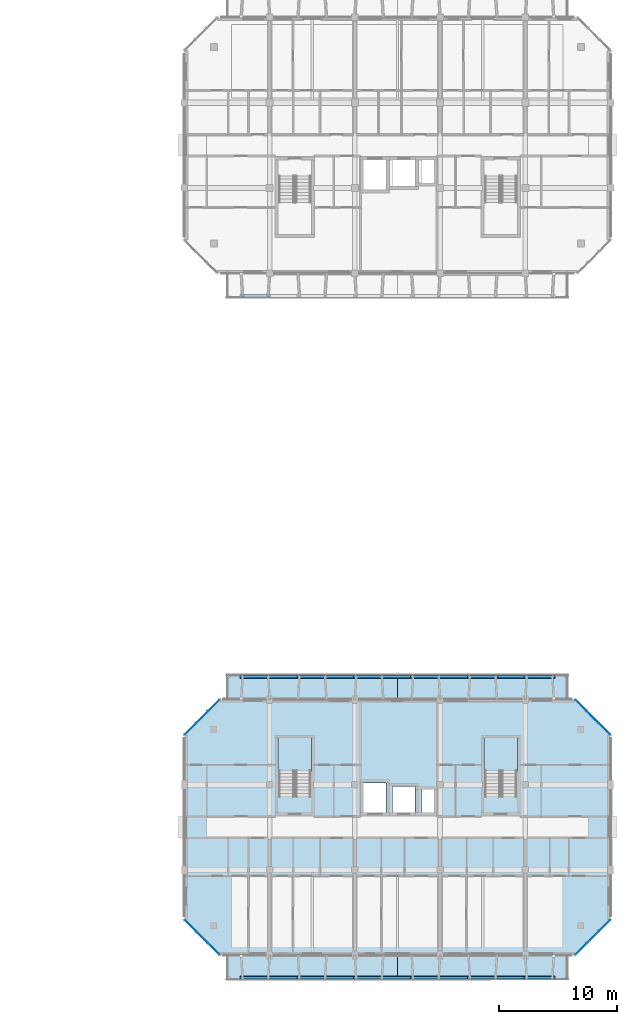
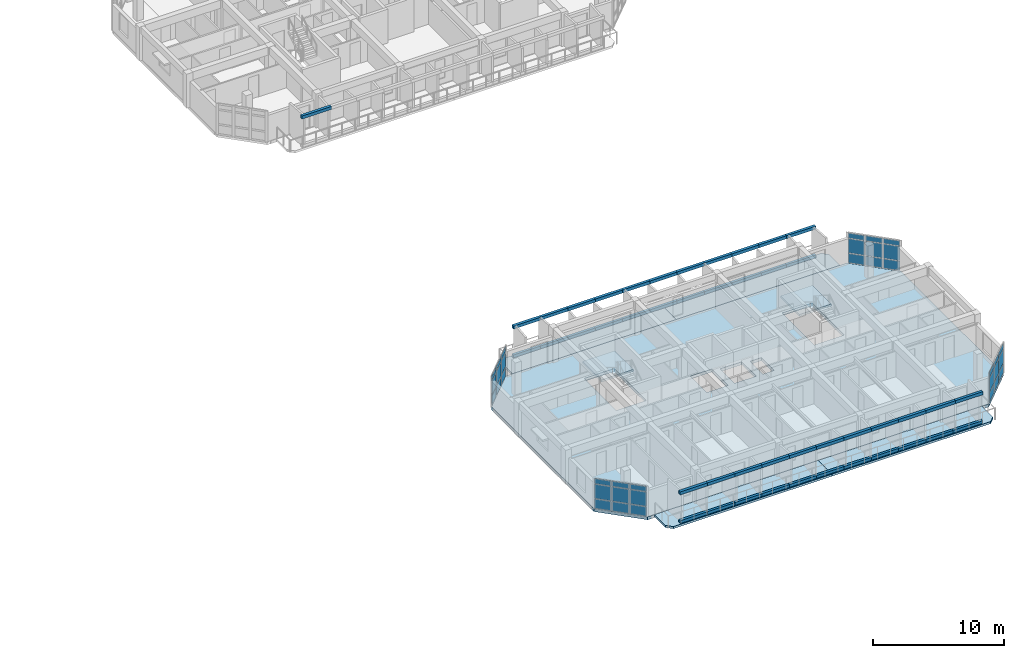
# One storey, part 12 of 43: 81 plates, 7 slabs, 6 elements without a shape of their own.
"""IFC4 building model written with IfcOpenShell, lengths in metres."""

from ifc_helpers import new_model, si_unit, direction, frame, origin, origin_2d, place, context, subcontext, project, spatial, polyline, rectangle, outline, extrude, material, layer, layer_set, type_object, element, aggregate, save


model = new_model("IFC4")

# Units and contexts
model_context = context("Model", 3, precision=1e-05, world=origin(), true_north=direction((0.0, 1.0)))
body_context = subcontext(model_context, "Body", "Model", "MODEL_VIEW")
ifc_project = project(units=[si_unit("LENGTHUNIT", "METRE"), si_unit("AREAUNIT", "SQUARE_METRE"), si_unit("VOLUMEUNIT", "CUBIC_METRE"), si_unit("PLANEANGLEUNIT", "RADIAN"), si_unit("MASSUNIT", "GRAM", prefix="KILO")], contexts=[model_context])

# Site, building, storey
site_placement = place(None, origin())
site = spatial("IfcSite", under=ifc_project, at=site_placement, CompositionType="ELEMENT")
building_placement = place(site_placement, origin())
building = spatial("IfcBuilding", under=site, at=building_placement, Name="Ochrevale Crest", CompositionType="ELEMENT")
storey_placement = place(building_placement, frame((0.0, 0.0, 15.0)))
storey = spatial("IfcBuildingStorey", under=building, at=storey_placement, Name="L04", CompositionType="ELEMENT", Elevation=15.0)

# Curtain wall, plates
ifc_material_1 = material(Name="Anodised aluminium 6063-T5", Category="aluminium")
ifc_layer_1 = layer(ifc_material_1, 0.14990234375)
ifc_layer_set_1 = layer_set([ifc_layer_1], Name="Anodised aluminium 6063-T5")
curtain_wall_type_1 = type_object("IfcCurtainWallType", Name="CW-WG-240x285", PredefinedType="NOTDEFINED", material=ifc_layer_set_1)
curtain_wall_1_placement = place(storey_placement, origin())
curtain_wall_1 = element("IfcCurtainWall", 1, at=curtain_wall_1_placement, inside=storey, type_object=curtain_wall_type_1, Name="Block C L04 chamfered corner wintergarden curtain wall 6", PredefinedType="NOTDEFINED")
ifc_material_2 = material(Name="Double-glazed low-E insulated glass unit", Category="glass")
ifc_layer_2 = layer(ifc_material_2, 0.028076171875)
ifc_layer_set_2 = layer_set([ifc_layer_2], Name="Double-glazed low-E insulated glass unit")
plate_type_1 = type_object("IfcPlateType", Name="CW-PNL-IGU28", PredefinedType="CURTAIN_PANEL", material=ifc_layer_set_2)
plate_1_placement = place(storey_placement, frame((132.086669921875, 35.48681640625, 0.06005859375), z_axis=(0.0, 0.0, 1.0), x_axis=(-0.707106781187, -0.707106781187, 0.0)))
plate_1 = element("IfcPlate", 2, at=plate_1_placement, type_object=plate_type_1, Name="CW15 panel 1.1", PredefinedType="CURTAIN_PANEL", context=body_context, shape_type="SweptSolid", body=[
    extrude(rectangle(XDim=1.3017578125, YDim=0.028076171875, at=origin_2d()), origin(), (0.0, 0.0, 1.0), 0.860107421875),
])
plate_2_placement = place(storey_placement, frame((132.086669921875, 35.48681640625, 0.97998046875), z_axis=(0.0, 0.0, 1.0), x_axis=(-0.707106781187, -0.707106781187, 0.0)))
plate_2 = element("IfcPlate", 3, at=plate_2_placement, type_object=plate_type_1, Name="CW15 panel 1.2", PredefinedType="CURTAIN_PANEL", context=body_context, shape_type="SweptSolid", body=[
    extrude(rectangle(XDim=1.3017578125, YDim=0.028076171875, at=origin_2d()), origin(), (0.0, 0.0, 1.0), 1.31494140625),
])
plate_3_placement = place(storey_placement, frame((132.086669921875, 35.48681640625, 2.35498046875), z_axis=(0.0, 0.0, 1.0), x_axis=(-0.707106781187, -0.707106781187, 0.0)))
plate_3 = element("IfcPlate", 4, at=plate_3_placement, type_object=plate_type_1, Name="CW15 panel 1.3", PredefinedType="CURTAIN_PANEL", context=body_context, shape_type="SweptSolid", body=[
    extrude(rectangle(XDim=1.3017578125, YDim=0.028076171875, at=origin_2d()), origin(), (0.0, 0.0, 1.0), 0.4599609375),
])
plate_4_placement = place(storey_placement, frame((131.10009765625, 34.5, 0.06005859375), z_axis=(0.0, 0.0, 1.0), x_axis=(-0.707106781187, -0.707106781187, 0.0)))
plate_4 = element("IfcPlate", 5, at=plate_4_placement, type_object=plate_type_1, Name="CW15 panel 2.1", PredefinedType="CURTAIN_PANEL", context=body_context, shape_type="SweptSolid", body=[
    extrude(rectangle(XDim=1.339111328125, YDim=0.028076171875, at=origin_2d()), origin(), (0.0, 0.0, 1.0), 0.860107421875),
])
plate_5_placement = place(storey_placement, frame((131.10009765625, 34.5, 0.97998046875), z_axis=(0.0, 0.0, 1.0), x_axis=(-0.707106781187, -0.707106781187, 0.0)))
plate_5 = element("IfcPlate", 6, at=plate_5_placement, type_object=plate_type_1, Name="CW15 panel 2.2", PredefinedType="CURTAIN_PANEL", context=body_context, shape_type="SweptSolid", body=[
    extrude(rectangle(XDim=1.339111328125, YDim=0.028076171875, at=origin_2d()), origin(), (0.0, 0.0, 1.0), 1.31494140625),
])
plate_6_placement = place(storey_placement, frame((131.10009765625, 34.5, 2.35498046875), z_axis=(0.0, 0.0, 1.0), x_axis=(-0.707106781187, -0.707106781187, 0.0)))
plate_6 = element("IfcPlate", 7, at=plate_6_placement, type_object=plate_type_1, Name="CW15 panel 2.3", PredefinedType="CURTAIN_PANEL", context=body_context, shape_type="SweptSolid", body=[
    extrude(rectangle(XDim=1.339111328125, YDim=0.028076171875, at=origin_2d()), origin(), (0.0, 0.0, 1.0), 0.4599609375),
])
plate_7_placement = place(storey_placement, frame((130.11328125, 33.51318359375, 0.06005859375), z_axis=(0.0, 0.0, 1.0), x_axis=(-0.707106781187, -0.707106781187, 0.0)))
plate_7 = element("IfcPlate", 8, at=plate_7_placement, type_object=plate_type_1, Name="CW15 panel 3.1", PredefinedType="CURTAIN_PANEL", context=body_context, shape_type="SweptSolid", body=[
    extrude(rectangle(XDim=1.3017578125, YDim=0.028076171875, at=origin_2d()), origin(), (0.0, 0.0, 1.0), 0.860107421875),
])
plate_8_placement = place(storey_placement, frame((130.11328125, 33.51318359375, 0.97998046875), z_axis=(0.0, 0.0, 1.0), x_axis=(-0.707106781187, -0.707106781187, 0.0)))
plate_8 = element("IfcPlate", 9, at=plate_8_placement, type_object=plate_type_1, Name="CW15 panel 3.2", PredefinedType="CURTAIN_PANEL", context=body_context, shape_type="SweptSolid", body=[
    extrude(rectangle(XDim=1.3017578125, YDim=0.028076171875, at=origin_2d()), origin(), (0.0, 0.0, 1.0), 1.31494140625),
])
plate_9_placement = place(storey_placement, frame((130.11328125, 33.51318359375, 2.35498046875), z_axis=(0.0, 0.0, 1.0), x_axis=(-0.707106781187, -0.707106781187, 0.0)))
plate_9 = element("IfcPlate", 10, at=plate_9_placement, type_object=plate_type_1, Name="CW15 panel 3.3", PredefinedType="CURTAIN_PANEL", context=body_context, shape_type="SweptSolid", body=[
    extrude(rectangle(XDim=1.3017578125, YDim=0.028076171875, at=origin_2d()), origin(), (0.0, 0.0, 1.0), 0.4599609375),
])
aggregate(curtain_wall_1, [plate_1, plate_2, plate_3, plate_4, plate_5, plate_6, plate_7, plate_8, plate_9])

ifc_layer_3 = layer(ifc_material_1, 0.14990234375)
ifc_layer_set_3 = layer_set([ifc_layer_3], Name="Anodised aluminium 6063-T5")
curtain_wall_type_2 = type_object("IfcCurtainWallType", Name="CW-WG-320x285", PredefinedType="NOTDEFINED", material=ifc_layer_set_3)
curtain_wall_2_placement = place(storey_placement, origin())
curtain_wall_2 = element("IfcCurtainWall", 11, at=curtain_wall_2_placement, inside=storey, type_object=curtain_wall_type_2, Name="Block C L04 chamfered corner wintergarden curtain wall 8", PredefinedType="NOTDEFINED")
plate_10_placement = place(storey_placement, frame((130.11328125, 16.88671875, 0.06005859375), z_axis=(0.0, 0.0, 1.0), x_axis=(0.707106781187, -0.707106781187, 0.0)))
plate_10 = element("IfcPlate", 12, at=plate_10_placement, type_object=plate_type_1, Name="CW17 panel 1.1", PredefinedType="CURTAIN_PANEL", context=body_context, shape_type="SweptSolid", body=[
    extrude(rectangle(XDim=1.3017578125, YDim=0.028076171875, at=origin_2d()), origin(), (0.0, 0.0, 1.0), 0.860107421875),
])
plate_11_placement = place(storey_placement, frame((130.11328125, 16.88671875, 0.97998046875), z_axis=(0.0, 0.0, 1.0), x_axis=(0.707106781187, -0.707106781187, 0.0)))
plate_11 = element("IfcPlate", 13, at=plate_11_placement, type_object=plate_type_1, Name="CW17 panel 1.2", PredefinedType="CURTAIN_PANEL", context=body_context, shape_type="SweptSolid", body=[
    extrude(rectangle(XDim=1.3017578125, YDim=0.028076171875, at=origin_2d()), origin(), (0.0, 0.0, 1.0), 1.31494140625),
])
plate_12_placement = place(storey_placement, frame((130.11328125, 16.88671875, 2.35498046875), z_axis=(0.0, 0.0, 1.0), x_axis=(0.707106781187, -0.707106781187, 0.0)))
plate_12 = element("IfcPlate", 14, at=plate_12_placement, type_object=plate_type_1, Name="CW17 panel 1.3", PredefinedType="CURTAIN_PANEL", context=body_context, shape_type="SweptSolid", body=[
    extrude(rectangle(XDim=1.3017578125, YDim=0.028076171875, at=origin_2d()), origin(), (0.0, 0.0, 1.0), 0.4599609375),
])
plate_13_placement = place(storey_placement, frame((131.10009765625, 15.89990234375, 0.06005859375), z_axis=(0.0, 0.0, 1.0), x_axis=(0.707106781187, -0.707106781187, 0.0)))
plate_13 = element("IfcPlate", 15, at=plate_13_placement, type_object=plate_type_1, Name="CW17 panel 2.1", PredefinedType="CURTAIN_PANEL", context=body_context, shape_type="SweptSolid", body=[
    extrude(rectangle(XDim=1.339111328125, YDim=0.028076171875, at=origin_2d()), origin(), (0.0, 0.0, 1.0), 0.860107421875),
])
plate_14_placement = place(storey_placement, frame((131.10009765625, 15.89990234375, 0.97998046875), z_axis=(0.0, 0.0, 1.0), x_axis=(0.707106781187, -0.707106781187, 0.0)))
plate_14 = element("IfcPlate", 16, at=plate_14_placement, type_object=plate_type_1, Name="CW17 panel 2.2", PredefinedType="CURTAIN_PANEL", context=body_context, shape_type="SweptSolid", body=[
    extrude(rectangle(XDim=1.339111328125, YDim=0.028076171875, at=origin_2d()), origin(), (0.0, 0.0, 1.0), 1.31494140625),
])
plate_15_placement = place(storey_placement, frame((131.10009765625, 15.89990234375, 2.35498046875), z_axis=(0.0, 0.0, 1.0), x_axis=(0.707106781187, -0.707106781187, 0.0)))
plate_15 = element("IfcPlate", 17, at=plate_15_placement, type_object=plate_type_1, Name="CW17 panel 2.3", PredefinedType="CURTAIN_PANEL", context=body_context, shape_type="SweptSolid", body=[
    extrude(rectangle(XDim=1.339111328125, YDim=0.028076171875, at=origin_2d()), origin(), (0.0, 0.0, 1.0), 0.4599609375),
])
plate_16_placement = place(storey_placement, frame((132.086669921875, 14.913330078125, 0.06005859375), z_axis=(0.0, 0.0, 1.0), x_axis=(0.707106781187, -0.707106781187, 0.0)))
plate_16 = element("IfcPlate", 18, at=plate_16_placement, type_object=plate_type_1, Name="CW17 panel 3.1", PredefinedType="CURTAIN_PANEL", context=body_context, shape_type="SweptSolid", body=[
    extrude(rectangle(XDim=1.3017578125, YDim=0.028076171875, at=origin_2d()), origin(), (0.0, 0.0, 1.0), 0.860107421875),
])
plate_17_placement = place(storey_placement, frame((132.086669921875, 14.913330078125, 0.97998046875), z_axis=(0.0, 0.0, 1.0), x_axis=(0.707106781187, -0.707106781187, 0.0)))
plate_17 = element("IfcPlate", 19, at=plate_17_placement, type_object=plate_type_1, Name="CW17 panel 3.2", PredefinedType="CURTAIN_PANEL", context=body_context, shape_type="SweptSolid", body=[
    extrude(rectangle(XDim=1.3017578125, YDim=0.028076171875, at=origin_2d()), origin(), (0.0, 0.0, 1.0), 1.31494140625),
])
plate_18_placement = place(storey_placement, frame((132.086669921875, 14.913330078125, 2.35498046875), z_axis=(0.0, 0.0, 1.0), x_axis=(0.707106781187, -0.707106781187, 0.0)))
plate_18 = element("IfcPlate", 20, at=plate_18_placement, type_object=plate_type_1, Name="CW17 panel 3.3", PredefinedType="CURTAIN_PANEL", context=body_context, shape_type="SweptSolid", body=[
    extrude(rectangle(XDim=1.3017578125, YDim=0.028076171875, at=origin_2d()), origin(), (0.0, 0.0, 1.0), 0.4599609375),
])
aggregate(curtain_wall_2, [plate_10, plate_11, plate_12, plate_13, plate_14, plate_15, plate_16, plate_17, plate_18])

ifc_layer_4 = layer(ifc_material_1, 0.14990234375)
ifc_layer_set_4 = layer_set([ifc_layer_4], Name="Anodised aluminium 6063-T5")
curtain_wall_type_3 = type_object("IfcCurtainWallType", Name="CW-WG-280x285", PredefinedType="NOTDEFINED", material=ifc_layer_set_4)
curtain_wall_3_placement = place(storey_placement, origin())
curtain_wall_3 = element("IfcCurtainWall", 21, at=curtain_wall_3_placement, inside=storey, type_object=curtain_wall_type_3, Name="Block C L04 chamfered corner wintergarden curtain wall 2", PredefinedType="NOTDEFINED")
ifc_material_3 = material(Name="Acoustic laminated low-E insulated glass unit", Category="glass")
ifc_layer_5 = layer(ifc_material_3, 0.0380859375)
ifc_layer_set_5 = layer_set([ifc_layer_5], Name="Acoustic laminated low-E insulated glass unit")
plate_type_2 = type_object("IfcPlateType", Name="CW-PNL-IGU38", PredefinedType="CURTAIN_PANEL", material=ifc_layer_set_5)
plate_19_placement = place(storey_placement, frame((163.11328125, 14.913330078125, 0.06005859375), z_axis=(0.0, 0.0, 1.0), x_axis=(0.707106781187, 0.707106781187, 0.0)))
plate_19 = element("IfcPlate", 22, at=plate_19_placement, type_object=plate_type_2, Name="CW16 panel 1.1", PredefinedType="CURTAIN_PANEL", context=body_context, shape_type="SweptSolid", body=[
    extrude(rectangle(XDim=1.3017578125, YDim=0.0380859375, at=origin_2d()), origin(), (0.0, 0.0, 1.0), 0.860107421875),
])
plate_20_placement = place(storey_placement, frame((163.11328125, 14.913330078125, 0.97998046875), z_axis=(0.0, 0.0, 1.0), x_axis=(0.707106781187, 0.707106781187, 0.0)))
plate_20 = element("IfcPlate", 23, at=plate_20_placement, type_object=plate_type_2, Name="CW16 panel 1.2", PredefinedType="CURTAIN_PANEL", context=body_context, shape_type="SweptSolid", body=[
    extrude(rectangle(XDim=1.3017578125, YDim=0.0380859375, at=origin_2d()), origin(), (0.0, 0.0, 1.0), 1.31494140625),
])
plate_21_placement = place(storey_placement, frame((163.11328125, 14.913330078125, 2.35498046875), z_axis=(0.0, 0.0, 1.0), x_axis=(0.707106781187, 0.707106781187, 0.0)))
plate_21 = element("IfcPlate", 24, at=plate_21_placement, type_object=plate_type_2, Name="CW16 panel 1.3", PredefinedType="CURTAIN_PANEL", context=body_context, shape_type="SweptSolid", body=[
    extrude(rectangle(XDim=1.3017578125, YDim=0.0380859375, at=origin_2d()), origin(), (0.0, 0.0, 1.0), 0.4599609375),
])
plate_22_placement = place(storey_placement, frame((164.10009765625, 15.89990234375, 0.06005859375), z_axis=(0.0, 0.0, 1.0), x_axis=(0.707106781187, 0.707106781187, 0.0)))
plate_22 = element("IfcPlate", 25, at=plate_22_placement, type_object=plate_type_2, Name="CW16 panel 2.1", PredefinedType="CURTAIN_PANEL", context=body_context, shape_type="SweptSolid", body=[
    extrude(rectangle(XDim=1.339111328125, YDim=0.0380859375, at=origin_2d()), origin(), (0.0, 0.0, 1.0), 0.860107421875),
])
plate_23_placement = place(storey_placement, frame((164.10009765625, 15.89990234375, 0.97998046875), z_axis=(0.0, 0.0, 1.0), x_axis=(0.707106781187, 0.707106781187, 0.0)))
plate_23 = element("IfcPlate", 26, at=plate_23_placement, type_object=plate_type_2, Name="CW16 panel 2.2", PredefinedType="CURTAIN_PANEL", context=body_context, shape_type="SweptSolid", body=[
    extrude(rectangle(XDim=1.339111328125, YDim=0.0380859375, at=origin_2d()), origin(), (0.0, 0.0, 1.0), 1.31494140625),
])
plate_24_placement = place(storey_placement, frame((164.10009765625, 15.89990234375, 2.35498046875), z_axis=(0.0, 0.0, 1.0), x_axis=(0.707106781187, 0.707106781187, 0.0)))
plate_24 = element("IfcPlate", 27, at=plate_24_placement, type_object=plate_type_2, Name="CW16 panel 2.3", PredefinedType="CURTAIN_PANEL", context=body_context, shape_type="SweptSolid", body=[
    extrude(rectangle(XDim=1.339111328125, YDim=0.0380859375, at=origin_2d()), origin(), (0.0, 0.0, 1.0), 0.4599609375),
])
plate_25_placement = place(storey_placement, frame((165.086669921875, 16.88671875, 0.06005859375), z_axis=(0.0, 0.0, 1.0), x_axis=(0.707106781187, 0.707106781187, 0.0)))
plate_25 = element("IfcPlate", 28, at=plate_25_placement, type_object=plate_type_2, Name="CW16 panel 3.1", PredefinedType="CURTAIN_PANEL", context=body_context, shape_type="SweptSolid", body=[
    extrude(rectangle(XDim=1.3017578125, YDim=0.0380859375, at=origin_2d()), origin(), (0.0, 0.0, 1.0), 0.860107421875),
])
plate_26_placement = place(storey_placement, frame((165.086669921875, 16.88671875, 0.97998046875), z_axis=(0.0, 0.0, 1.0), x_axis=(0.707106781187, 0.707106781187, 0.0)))
plate_26 = element("IfcPlate", 29, at=plate_26_placement, type_object=plate_type_2, Name="CW16 panel 3.2", PredefinedType="CURTAIN_PANEL", context=body_context, shape_type="SweptSolid", body=[
    extrude(rectangle(XDim=1.3017578125, YDim=0.0380859375, at=origin_2d()), origin(), (0.0, 0.0, 1.0), 1.31494140625),
])
plate_27_placement = place(storey_placement, frame((165.086669921875, 16.88671875, 2.35498046875), z_axis=(0.0, 0.0, 1.0), x_axis=(0.707106781187, 0.707106781187, 0.0)))
plate_27 = element("IfcPlate", 30, at=plate_27_placement, type_object=plate_type_2, Name="CW16 panel 3.3", PredefinedType="CURTAIN_PANEL", context=body_context, shape_type="SweptSolid", body=[
    extrude(rectangle(XDim=1.3017578125, YDim=0.0380859375, at=origin_2d()), origin(), (0.0, 0.0, 1.0), 0.4599609375),
])
aggregate(curtain_wall_3, [plate_19, plate_20, plate_21, plate_22, plate_23, plate_24, plate_25, plate_26, plate_27])

ifc_layer_6 = layer(ifc_material_1, 0.14990234375)
ifc_layer_set_6 = layer_set([ifc_layer_6], Name="Anodised aluminium 6063-T5")
curtain_wall_type_4 = type_object("IfcCurtainWallType", Name="CW-WG-360x285", PredefinedType="NOTDEFINED", material=ifc_layer_set_6)
curtain_wall_4_placement = place(storey_placement, origin())
curtain_wall_4 = element("IfcCurtainWall", 31, at=curtain_wall_4_placement, inside=storey, type_object=curtain_wall_type_4, Name="Block C L04 chamfered corner wintergarden curtain wall 4", PredefinedType="NOTDEFINED")
plate_28_placement = place(storey_placement, frame((165.086669921875, 33.51318359375, 0.06005859375), z_axis=(0.0, 0.0, 1.0), x_axis=(-0.707106781187, 0.707106781187, 0.0)))
plate_28 = element("IfcPlate", 32, at=plate_28_placement, type_object=plate_type_2, Name="CW18 panel 1.1", PredefinedType="CURTAIN_PANEL", context=body_context, shape_type="SweptSolid", body=[
    extrude(rectangle(XDim=1.3017578125, YDim=0.0380859375, at=origin_2d()), origin(), (0.0, 0.0, 1.0), 0.860107421875),
])
plate_29_placement = place(storey_placement, frame((165.086669921875, 33.51318359375, 0.97998046875), z_axis=(0.0, 0.0, 1.0), x_axis=(-0.707106781187, 0.707106781187, 0.0)))
plate_29 = element("IfcPlate", 33, at=plate_29_placement, type_object=plate_type_2, Name="CW18 panel 1.2", PredefinedType="CURTAIN_PANEL", context=body_context, shape_type="SweptSolid", body=[
    extrude(rectangle(XDim=1.3017578125, YDim=0.0380859375, at=origin_2d()), origin(), (0.0, 0.0, 1.0), 1.31494140625),
])
plate_30_placement = place(storey_placement, frame((165.086669921875, 33.51318359375, 2.35498046875), z_axis=(0.0, 0.0, 1.0), x_axis=(-0.707106781187, 0.707106781187, 0.0)))
plate_30 = element("IfcPlate", 34, at=plate_30_placement, type_object=plate_type_2, Name="CW18 panel 1.3", PredefinedType="CURTAIN_PANEL", context=body_context, shape_type="SweptSolid", body=[
    extrude(rectangle(XDim=1.3017578125, YDim=0.0380859375, at=origin_2d()), origin(), (0.0, 0.0, 1.0), 0.4599609375),
])
plate_31_placement = place(storey_placement, frame((164.10009765625, 34.5, 0.06005859375), z_axis=(0.0, 0.0, 1.0), x_axis=(-0.707106781187, 0.707106781187, 0.0)))
plate_31 = element("IfcPlate", 35, at=plate_31_placement, type_object=plate_type_2, Name="CW18 panel 2.1", PredefinedType="CURTAIN_PANEL", context=body_context, shape_type="SweptSolid", body=[
    extrude(rectangle(XDim=1.339111328125, YDim=0.0380859375, at=origin_2d()), origin(), (0.0, 0.0, 1.0), 0.860107421875),
])
plate_32_placement = place(storey_placement, frame((164.10009765625, 34.5, 0.97998046875), z_axis=(0.0, 0.0, 1.0), x_axis=(-0.707106781187, 0.707106781187, 0.0)))
plate_32 = element("IfcPlate", 36, at=plate_32_placement, type_object=plate_type_2, Name="CW18 panel 2.2", PredefinedType="CURTAIN_PANEL", context=body_context, shape_type="SweptSolid", body=[
    extrude(rectangle(XDim=1.339111328125, YDim=0.0380859375, at=origin_2d()), origin(), (0.0, 0.0, 1.0), 1.31494140625),
])
plate_33_placement = place(storey_placement, frame((164.10009765625, 34.5, 2.35498046875), z_axis=(0.0, 0.0, 1.0), x_axis=(-0.707106781187, 0.707106781187, 0.0)))
plate_33 = element("IfcPlate", 37, at=plate_33_placement, type_object=plate_type_2, Name="CW18 panel 2.3", PredefinedType="CURTAIN_PANEL", context=body_context, shape_type="SweptSolid", body=[
    extrude(rectangle(XDim=1.339111328125, YDim=0.0380859375, at=origin_2d()), origin(), (0.0, 0.0, 1.0), 0.4599609375),
])
plate_34_placement = place(storey_placement, frame((163.11328125, 35.48681640625, 0.06005859375), z_axis=(0.0, 0.0, 1.0), x_axis=(-0.707106781187, 0.707106781187, 0.0)))
plate_34 = element("IfcPlate", 38, at=plate_34_placement, type_object=plate_type_2, Name="CW18 panel 3.1", PredefinedType="CURTAIN_PANEL", context=body_context, shape_type="SweptSolid", body=[
    extrude(rectangle(XDim=1.3017578125, YDim=0.0380859375, at=origin_2d()), origin(), (0.0, 0.0, 1.0), 0.860107421875),
])
plate_35_placement = place(storey_placement, frame((163.11328125, 35.48681640625, 0.97998046875), z_axis=(0.0, 0.0, 1.0), x_axis=(-0.707106781187, 0.707106781187, 0.0)))
plate_35 = element("IfcPlate", 39, at=plate_35_placement, type_object=plate_type_2, Name="CW18 panel 3.2", PredefinedType="CURTAIN_PANEL", context=body_context, shape_type="SweptSolid", body=[
    extrude(rectangle(XDim=1.3017578125, YDim=0.0380859375, at=origin_2d()), origin(), (0.0, 0.0, 1.0), 1.31494140625),
])
plate_36_placement = place(storey_placement, frame((163.11328125, 35.48681640625, 2.35498046875), z_axis=(0.0, 0.0, 1.0), x_axis=(-0.707106781187, 0.707106781187, 0.0)))
plate_36 = element("IfcPlate", 40, at=plate_36_placement, type_object=plate_type_2, Name="CW18 panel 3.3", PredefinedType="CURTAIN_PANEL", context=body_context, shape_type="SweptSolid", body=[
    extrude(rectangle(XDim=1.3017578125, YDim=0.0380859375, at=origin_2d()), origin(), (0.0, 0.0, 1.0), 0.4599609375),
])
aggregate(curtain_wall_4, [plate_28, plate_29, plate_30, plate_31, plate_32, plate_33, plate_34, plate_35, plate_36])

# Plates
ifc_material_4 = material(Name="Precast concrete C40/50", Category="concrete")
ifc_layer_7 = layer(ifc_material_4, 0.06005859375)
ifc_layer_set_7 = layer_set([ifc_layer_7], Name="Precast concrete C40/50")
plate_type_3 = type_object("IfcPlateType", Name="PLT-HC-HEAD-60", PredefinedType="USERDEFINED", material=ifc_layer_set_7)
for number, where, z_axis, x_axis, name in (
    (41, (135.60009765625, 12.5, 2.669921875), (0.0, 0.0, 1.0), (1.0, 0.0, 0.0), "Block C L04 S honeycomb arched lintel fascia 1"),
    (42, (138.0, 12.5, 2.669921875), (0.0, 0.0, 1.0), (1.0, 0.0, 0.0), "Block C L04 S honeycomb arched lintel fascia 2"),
    (43, (140.39990234375, 12.5, 2.669921875), (0.0, 0.0, 1.0), (1.0, 0.0, 0.0), "Block C L04 S honeycomb arched lintel fascia 3"),
    (44, (142.800048828125, 12.5, 2.669921875), (0.0, 0.0, 1.0), (1.0, 0.0, 0.0), "Block C L04 S honeycomb arched lintel fascia 4"),
    (45, (145.199951171875, 12.5, 2.669921875), (0.0, 0.0, 1.0), (1.0, 0.0, 0.0), "Block C L04 S honeycomb arched lintel fascia 5"),
    (46, (147.60009765625, 12.5, 2.669921875), (0.0, 0.0, 1.0), (1.0, 0.0, 0.0), "Block C L04 S honeycomb arched lintel fascia 6"),
    (47, (150.0, 12.5, 2.669921875), (0.0, 0.0, 1.0), (1.0, 0.0, 0.0), "Block C L04 S honeycomb arched lintel fascia 7"),
    (48, (152.39990234375, 12.5, 2.669921875), (0.0, 0.0, 1.0), (1.0, 0.0, 0.0), "Block C L04 S honeycomb arched lintel fascia 8"),
    (49, (154.800048828125, 12.5, 2.669921875), (0.0, 0.0, 1.0), (1.0, 0.0, 0.0), "Block C L04 S honeycomb arched lintel fascia 9"),
    (50, (157.199951171875, 12.5, 2.669921875), (0.0, 0.0, 1.0), (1.0, 0.0, 0.0), "Block C L04 S honeycomb arched lintel fascia 10"),
    (51, (159.60009765625, 12.5, 2.669921875), (0.0, 0.0, 1.0), (1.0, 0.0, 0.0), "Block C L04 S honeycomb arched lintel fascia 11"),
    (52, (135.60009765625, 37.89990234375, 2.669921875), (0.0, 0.0, 1.0), (1.0, 0.0, 0.0), "Block C L04 N honeycomb arched lintel fascia 1"),
    (53, (138.0, 37.89990234375, 2.669921875), (0.0, 0.0, 1.0), (1.0, 0.0, 0.0), "Block C L04 N honeycomb arched lintel fascia 2"),
    (54, (140.39990234375, 37.89990234375, 2.669921875), (0.0, 0.0, 1.0), (1.0, 0.0, 0.0), "Block C L04 N honeycomb arched lintel fascia 3"),
    (55, (142.800048828125, 37.89990234375, 2.669921875), (0.0, 0.0, 1.0), (1.0, 0.0, 0.0), "Block C L04 N honeycomb arched lintel fascia 4"),
    (56, (145.199951171875, 37.89990234375, 2.669921875), (0.0, 0.0, 1.0), (1.0, 0.0, 0.0), "Block C L04 N honeycomb arched lintel fascia 5"),
    (57, (147.60009765625, 37.89990234375, 2.669921875), (0.0, 0.0, 1.0), (1.0, 0.0, 0.0), "Block C L04 N honeycomb arched lintel fascia 6"),
    (58, (150.0, 37.89990234375, 2.669921875), (0.0, 0.0, 1.0), (1.0, 0.0, 0.0), "Block C L04 N honeycomb arched lintel fascia 7"),
    (59, (152.39990234375, 37.89990234375, 2.669921875), (0.0, 0.0, 1.0), (1.0, 0.0, 0.0), "Block C L04 N honeycomb arched lintel fascia 8"),
    (60, (154.800048828125, 37.89990234375, 2.669921875), (0.0, 0.0, 1.0), (1.0, 0.0, 0.0), "Block C L04 N honeycomb arched lintel fascia 9"),
    (61, (157.199951171875, 37.89990234375, 2.669921875), (0.0, 0.0, 1.0), (1.0, 0.0, 0.0), "Block C L04 N honeycomb arched lintel fascia 10"),
    (62, (159.60009765625, 37.89990234375, 2.669921875), (0.0, 0.0, 1.0), (1.0, 0.0, 0.0), "Block C L04 N honeycomb arched lintel fascia 11"),
    (63, (135.60009765625, 70.10009765625, 2.669921875), (0.0, 0.0, 1.0), (1.0, 0.0, 0.0), "Block D L04 S honeycomb arched lintel fascia 1"),
):
    element("IfcPlate", number, at=place(storey_placement, frame(where, z_axis=z_axis, x_axis=x_axis)), inside=storey, type_object=plate_type_3, Name=name, ObjectType="FACADE FASCIA PLATE", PredefinedType="USERDEFINED", context=body_context, shape_type="SweptSolid", body=[
        extrude(rectangle(XDim=2.60009765625, YDim=0.239990234375, at=origin_2d()), origin(), (0.0, 0.0, 1.0), 0.280029296875),
    ])
ifc_layer_8 = layer(ifc_material_4, 0.044921875)
ifc_layer_set_8 = layer_set([ifc_layer_8], Name="Precast concrete C40/50")
plate_type_4 = type_object("IfcPlateType", Name="PLT-HC-SILL-45", PredefinedType="USERDEFINED", material=ifc_layer_set_8)
for number, where, z_axis, x_axis, name in (
    (64, (135.60009765625, 12.5, 0.0), (0.0, 0.0, 1.0), (1.0, 0.0, 0.0), "Block C L04 S honeycomb sill coping plate 1"),
    (65, (138.0, 12.5, 0.0), (0.0, 0.0, 1.0), (1.0, 0.0, 0.0), "Block C L04 S honeycomb sill coping plate 2"),
    (66, (140.39990234375, 12.5, 0.0), (0.0, 0.0, 1.0), (1.0, 0.0, 0.0), "Block C L04 S honeycomb sill coping plate 3"),
    (67, (142.800048828125, 12.5, 0.0), (0.0, 0.0, 1.0), (1.0, 0.0, 0.0), "Block C L04 S honeycomb sill coping plate 4"),
    (68, (145.199951171875, 12.5, 0.0), (0.0, 0.0, 1.0), (1.0, 0.0, 0.0), "Block C L04 S honeycomb sill coping plate 5"),
    (69, (147.60009765625, 12.5, 0.0), (0.0, 0.0, 1.0), (1.0, 0.0, 0.0), "Block C L04 S honeycomb sill coping plate 6"),
    (70, (150.0, 12.5, 0.0), (0.0, 0.0, 1.0), (1.0, 0.0, 0.0), "Block C L04 S honeycomb sill coping plate 7"),
    (71, (152.39990234375, 12.5, 0.0), (0.0, 0.0, 1.0), (1.0, 0.0, 0.0), "Block C L04 S honeycomb sill coping plate 8"),
    (72, (154.800048828125, 12.5, 0.0), (0.0, 0.0, 1.0), (1.0, 0.0, 0.0), "Block C L04 S honeycomb sill coping plate 9"),
    (73, (157.199951171875, 12.5, 0.0), (0.0, 0.0, 1.0), (1.0, 0.0, 0.0), "Block C L04 S honeycomb sill coping plate 10"),
    (74, (159.60009765625, 12.5, 0.0), (0.0, 0.0, 1.0), (1.0, 0.0, 0.0), "Block C L04 S honeycomb sill coping plate 11"),
    (75, (135.60009765625, 37.89990234375, 0.0), (0.0, 0.0, 1.0), (1.0, 0.0, 0.0), "Block C L04 N honeycomb sill coping plate 1"),
    (76, (138.0, 37.89990234375, 0.0), (0.0, 0.0, 1.0), (1.0, 0.0, 0.0), "Block C L04 N honeycomb sill coping plate 2"),
    (77, (140.39990234375, 37.89990234375, 0.0), (0.0, 0.0, 1.0), (1.0, 0.0, 0.0), "Block C L04 N honeycomb sill coping plate 3"),
    (78, (142.800048828125, 37.89990234375, 0.0), (0.0, 0.0, 1.0), (1.0, 0.0, 0.0), "Block C L04 N honeycomb sill coping plate 4"),
    (79, (145.199951171875, 37.89990234375, 0.0), (0.0, 0.0, 1.0), (1.0, 0.0, 0.0), "Block C L04 N honeycomb sill coping plate 5"),
    (80, (147.60009765625, 37.89990234375, 0.0), (0.0, 0.0, 1.0), (1.0, 0.0, 0.0), "Block C L04 N honeycomb sill coping plate 6"),
    (81, (150.0, 37.89990234375, 0.0), (0.0, 0.0, 1.0), (1.0, 0.0, 0.0), "Block C L04 N honeycomb sill coping plate 7"),
    (82, (152.39990234375, 37.89990234375, 0.0), (0.0, 0.0, 1.0), (1.0, 0.0, 0.0), "Block C L04 N honeycomb sill coping plate 8"),
    (83, (154.800048828125, 37.89990234375, 0.0), (0.0, 0.0, 1.0), (1.0, 0.0, 0.0), "Block C L04 N honeycomb sill coping plate 9"),
    (84, (157.199951171875, 37.89990234375, 0.0), (0.0, 0.0, 1.0), (1.0, 0.0, 0.0), "Block C L04 N honeycomb sill coping plate 10"),
    (85, (159.60009765625, 37.89990234375, 0.0), (0.0, 0.0, 1.0), (1.0, 0.0, 0.0), "Block C L04 N honeycomb sill coping plate 11"),
):
    element("IfcPlate", number, at=place(storey_placement, frame(where, z_axis=z_axis, x_axis=x_axis)), inside=storey, type_object=plate_type_4, Name=name, ObjectType="SILL COPING PLATE", PredefinedType="USERDEFINED", context=body_context, shape_type="SweptSolid", body=[
        extrude(rectangle(XDim=2.60009765625, YDim=0.219970703125, at=origin_2d()), origin(), (0.0, 0.0, 1.0), 0.260009765625),
    ])

# Slabs
ifc_layer_9 = layer(ifc_material_4, 0.199951171875)
ifc_layer_set_9 = layer_set([ifc_layer_9], Name="Precast concrete C40/50")
slab_type_1 = type_object("IfcSlabType", Name="SLB-BAL-200", PredefinedType="FLOOR", material=ifc_layer_set_9)
slab_1_placement = place(storey_placement, frame((0.0, 0.0, -0.199951171875)))
element("IfcSlab", 86, at=slab_1_placement, inside=storey, type_object=slab_type_1, Name="Block C L04 S1 precast loggia balcony slab", PredefinedType="FLOOR", context=body_context, shape_type="SweptSolid", body=[
    extrude(outline(polyline([(133.64990234375, 12.300048828125), (147.60009765625, 12.300048828125), (147.60009765625, 14.39990234375), (133.199951171875, 14.39990234375), (133.199951171875, 12.75), (133.64990234375, 12.300048828125)])), origin(), (0.0, 0.0, 1.0), 0.199951171875),
])
slab_2_placement = place(storey_placement, frame((0.0, 0.0, -0.199951171875)))
element("IfcSlab", 87, at=slab_2_placement, inside=storey, type_object=slab_type_1, Name="Block C L04 S2 precast loggia balcony slab", PredefinedType="FLOOR", context=body_context, shape_type="SweptSolid", body=[
    extrude(outline(polyline([(147.60009765625, 12.300048828125), (161.550048828125, 12.300048828125), (162.0, 12.75), (162.0, 14.39990234375), (147.60009765625, 14.39990234375), (147.60009765625, 12.300048828125)])), origin(), (0.0, 0.0, 1.0), 0.199951171875),
])
slab_3_placement = place(storey_placement, frame((0.0, 0.0, -0.199951171875)))
element("IfcSlab", 88, at=slab_3_placement, inside=storey, type_object=slab_type_1, Name="Block C L04 N1 precast loggia balcony slab", PredefinedType="FLOOR", context=body_context, shape_type="SweptSolid", body=[
    extrude(outline(polyline([(133.199951171875, 36.0), (147.60009765625, 36.0), (147.60009765625, 38.10009765625), (133.64990234375, 38.10009765625), (133.199951171875, 37.64990234375), (133.199951171875, 36.0)])), origin(), (0.0, 0.0, 1.0), 0.199951171875),
])
slab_4_placement = place(storey_placement, frame((0.0, 0.0, -0.199951171875)))
element("IfcSlab", 89, at=slab_4_placement, inside=storey, type_object=slab_type_1, Name="Block C L04 N2 precast loggia balcony slab", PredefinedType="FLOOR", context=body_context, shape_type="SweptSolid", body=[
    extrude(outline(polyline([(147.60009765625, 36.0), (162.0, 36.0), (162.0, 37.64990234375), (161.550048828125, 38.10009765625), (147.60009765625, 38.10009765625), (147.60009765625, 36.0)])), origin(), (0.0, 0.0, 1.0), 0.199951171875),
])
ifc_layer_10 = layer(ifc_material_4, 0.27490234375)
ifc_layer_set_10 = layer_set([ifc_layer_10], Name="Precast concrete C40/50")
slab_type_2 = type_object("IfcSlabType", Name="SLB-RES-275", PredefinedType="FLOOR", material=ifc_layer_set_10)
slab_5_placement = place(storey_placement, frame((0.0, 0.0, -0.27490234375)))
element("IfcSlab", 90, at=slab_5_placement, inside=storey, type_object=slab_type_2, Name="Block C L04 composite hollowcore floor slab", PredefinedType="FLOOR", context=body_context, shape_type="SweptSolid", body=[
    extrude(outline(polyline([(132.60009765625, 14.39990234375), (162.60009765625, 14.39990234375), (165.60009765625, 17.39990234375), (165.60009765625, 33.0), (162.60009765625, 36.0), (132.60009765625, 36.0), (129.60009765625, 33.0), (129.60009765625, 17.39990234375), (132.60009765625, 14.39990234375)]), holes=[polyline([(140.25, 27.824951171875), (140.25, 32.72509765625), (137.60009765625, 32.72509765625), (137.60009765625, 27.824951171875), (140.25, 27.824951171875)]), polyline([(157.64990234375, 27.824951171875), (157.64990234375, 32.72509765625), (155.0, 32.72509765625), (155.0, 27.824951171875), (157.64990234375, 27.824951171875)]), polyline([(144.75, 26.449951171875), (146.64990234375, 26.449951171875), (146.64990234375, 28.949951171875), (144.75, 28.949951171875), (144.75, 26.449951171875)]), polyline([(147.199951171875, 26.449951171875), (149.10009765625, 26.449951171875), (149.10009765625, 28.64990234375), (147.199951171875, 28.64990234375), (147.199951171875, 26.449951171875)]), polyline([(149.669921875, 26.419921875), (150.679931640625, 26.419921875), (150.679931640625, 28.3798828125), (149.669921875, 28.3798828125), (149.669921875, 26.419921875)])]), origin(), (0.0, 0.0, 1.0), 0.27490234375),
])

# Stair, slab
stair_type = type_object("IfcStairType", Name="ST-CORE-DOG", PredefinedType="HALF_TURN_STAIR", material=ifc_material_4)
stair_1_placement = place(storey_placement, origin())
stair_1 = element("IfcStair", 91, at=stair_1_placement, inside=storey, type_object=stair_type, Name="L04 Block C Fire Stair 1", PredefinedType="HALF_TURN_STAIR")
ifc_layer_11 = layer(ifc_material_4, 0.199951171875)
ifc_layer_set_11 = layer_set([ifc_layer_11], Name="Precast concrete C40/50")
slab_type_3 = type_object("IfcSlabType", Name="SLB-ST-LAND", PredefinedType="LANDING", material=ifc_layer_set_11)
slab_6_placement = place(storey_placement, frame((0.0, 0.0, 1.375)))
slab_6 = element("IfcSlab", 92, at=slab_6_placement, type_object=slab_type_3, Name="ST-C1 landing 1", PredefinedType="LANDING", context=body_context, shape_type="SweptSolid", body=[
    extrude(outline(polyline([(140.330078125, 29.93505859375), (140.330078125, 32.804931640625), (137.52001953125, 32.804931640625), (137.52001953125, 29.93505859375), (140.330078125, 29.93505859375)])), origin(), (0.0, 0.0, 1.0), 0.199951171875),
])
aggregate(stair_1, [slab_6])

stair_2_placement = place(storey_placement, origin())
stair_2 = element("IfcStair", 93, at=stair_2_placement, inside=storey, type_object=stair_type, Name="L04 Block C Fire Stair 2", PredefinedType="HALF_TURN_STAIR")
slab_7_placement = place(storey_placement, frame((0.0, 0.0, 1.375)))
slab_7 = element("IfcSlab", 94, at=slab_7_placement, type_object=slab_type_3, Name="ST-C2 landing 1", PredefinedType="LANDING", context=body_context, shape_type="SweptSolid", body=[
    extrude(outline(polyline([(157.72998046875, 29.93505859375), (157.72998046875, 32.804931640625), (154.919921875, 32.804931640625), (154.919921875, 29.93505859375), (157.72998046875, 29.93505859375)])), origin(), (0.0, 0.0, 1.0), 0.199951171875),
])
aggregate(stair_2, [slab_7])

save(model, "model.ifc")
